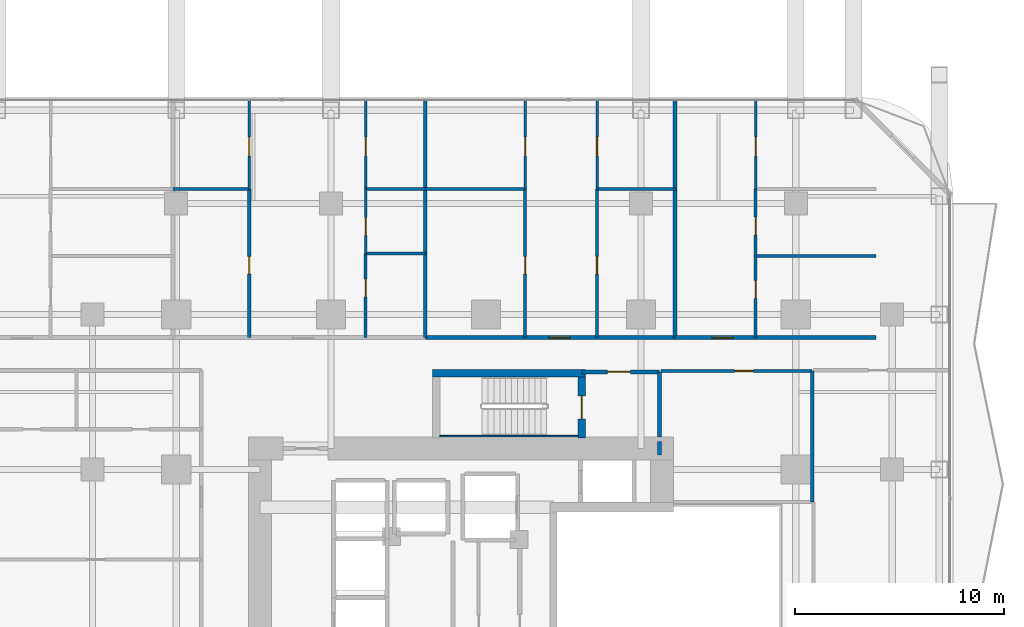
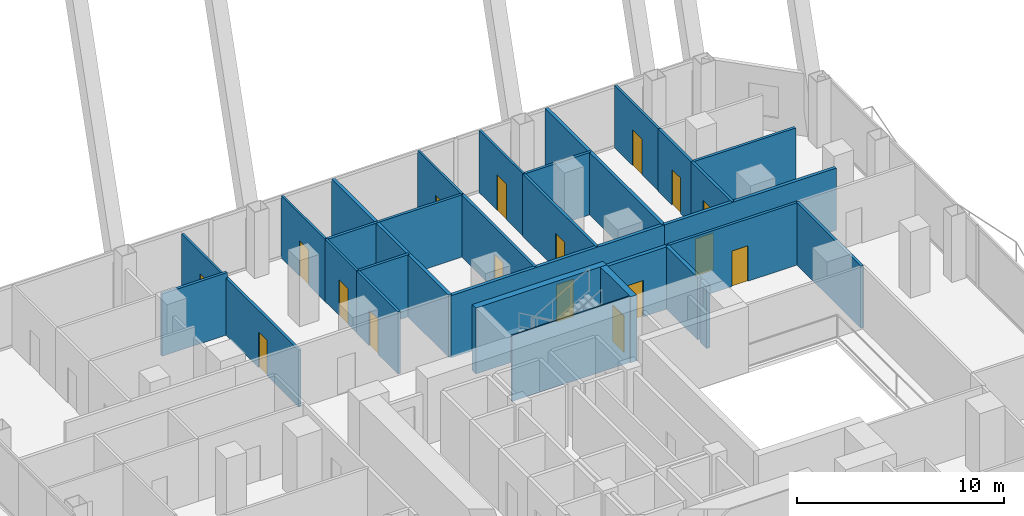
# One storey, part 27 of 33: 30 walls, 17 doors, 17 openings.
"""IFC4 building model written with IfcOpenShell, lengths in metres."""

import ifcopenshell
import ifcopenshell.guid

model = None  # the IFC model being written
_history = None  # IfcOwnerHistory: only IFC2X3 demands one
_inside = {}  # id of a spatial element -> (the spatial element, [elements in it])
_under = {}  # id of a project, library or spatial element -> (it, [spatial elements below it])
_declared = {}  # id of a project -> (the project, [libraries it declares])
_typed = {}  # id of a type object -> (the type object, [elements of that type])
_made_of = {}  # id of a material, layer set ... -> (it, [elements and type objects made of it])


def new_model(schema):
    """Start an empty IFC model of exactly this schema.

    Asked for "IFC4X3", IfcOpenShell would pick the latest addendum, in which some entities
    have other attributes; the version numbers below select the first issue.
    IFC2X3 requires an IfcOwnerHistory on every rooted entity: one is made here for all.
    """
    global model, _history
    if schema == "IFC4X3":
        model = ifcopenshell.file(schema_version=(4, 3, 0, 0))
    else:
        model = ifcopenshell.file(schema=schema)
    _inside.clear()
    _under.clear()
    _declared.clear()
    _typed.clear()
    _made_of.clear()
    _history = None
    if model.schema == "IFC2X3":
        org = make("IfcOrganization", Name="unknown")
        user = make(
            "IfcPersonAndOrganization",
            ThePerson=make("IfcPerson", FamilyName="unknown"),
            TheOrganization=org,
        )
        app = make(
            "IfcApplication",
            ApplicationDeveloper=org,
            Version="unknown",
            ApplicationFullName="unknown",
            ApplicationIdentifier="unknown",
        )
        _history = make(
            "IfcOwnerHistory",
            OwningUser=user,
            OwningApplication=app,
            ChangeAction="ADDED",
            CreationDate=0,
        )
    return model


def make(cls, **values):
    """One entity of the class cls with the attributes given. An attribute that is None is left unset."""
    return model.create_entity(
        cls, **{name: value for name, value in values.items() if value is not None}
    )


def rooted(cls, **values):
    """An entity with a GlobalId (a new one), such as an element, a storey or a relation."""
    return make(cls, GlobalId=ifcopenshell.guid.new(), OwnerHistory=_history, **values)


def si_unit(unit_type, name, prefix=None):
    """IfcSIUnit, for example si_unit("LENGTHUNIT", "METRE", prefix="MILLI")."""
    return make("IfcSIUnit", UnitType=unit_type, Prefix=prefix, Name=name)


def assignment(units):
    """IfcUnitAssignment: the units of a project."""
    return None if units is None else make("IfcUnitAssignment", Units=units)


def point(xyz):
    """IfcCartesianPoint."""
    return None if xyz is None else make("IfcCartesianPoint", Coordinates=xyz)


def direction(xyz):
    """IfcDirection."""
    return None if xyz is None else make("IfcDirection", DirectionRatios=xyz)


def frame(location, z_axis=None, x_axis=None):
    """IfcAxis2Placement3D, a coordinate frame: its origin and axes. An axis left out is left unset."""
    return make(
        "IfcAxis2Placement3D",
        Location=point(location),
        Axis=direction(z_axis),
        RefDirection=direction(x_axis),
    )


def frame_2d(location, x_axis=None):
    """IfcAxis2Placement2D, a coordinate frame in the plane: its origin and x axis."""
    return make(
        "IfcAxis2Placement2D", Location=point(location), RefDirection=direction(x_axis)
    )


def origin():
    """The frame at (0, 0, 0) with its axes left unset."""
    return frame((0.0, 0.0, 0.0))


def place(relative_to, where):
    """IfcLocalPlacement: puts the frame where relative to a parent placement (None: the world)."""
    return make(
        "IfcLocalPlacement", PlacementRelTo=relative_to, RelativePlacement=where
    )


def context(
    kind, dimensions, precision=None, world=None, true_north=None, identifier=None
):
    """IfcGeometricRepresentationContext, for example the 3D "Model" context."""
    return make(
        "IfcGeometricRepresentationContext",
        ContextIdentifier=identifier,
        ContextType=kind,
        CoordinateSpaceDimension=dimensions,
        Precision=precision,
        WorldCoordinateSystem=world,
        TrueNorth=true_north,
    )


def subcontext(parent, identifier, kind, view, scale=None):
    """IfcGeometricRepresentationSubContext, for example "Body" below "Model"."""
    return make(
        "IfcGeometricRepresentationSubContext",
        ContextIdentifier=identifier,
        ContextType=kind,
        ParentContext=parent,
        TargetScale=scale,
        TargetView=view,
    )


def project(units=None, contexts=None):
    """IfcProject with its units and contexts."""
    return rooted(
        "IfcProject",
        Name="project",
        RepresentationContexts=contexts,
        UnitsInContext=assignment(units),
    )


def spatial(cls, under=None, at=None, **own):
    """A site, building, storey or space (cls), placed at a placement, below another one or the project."""
    s = rooted(cls, ObjectPlacement=at, **own)
    if under is not None:
        _under.setdefault(under.id(), (under, []))[1].append(s)
    return s


def profile(cls, at=None, kind="AREA", **sizes):
    """A parametric profile (cls). Its sizes go by their IFC names, for example OverallWidth=200.0."""
    return make(cls, ProfileType=kind, Position=at, **sizes)


def rectangle(**sizes):
    """IfcRectangleProfileDef."""
    return profile("IfcRectangleProfileDef", **sizes)


def extrude(swept, where, along, depth):
    """IfcExtrudedAreaSolid: the profile swept, set in the frame where, extruded along a direction by depth."""
    return make(
        "IfcExtrudedAreaSolid",
        SweptArea=swept,
        Position=where,
        ExtrudedDirection=direction(along),
        Depth=depth,
    )


def shape(context_of_items, identifier, shape_type, items):
    """IfcShapeRepresentation: the items that make up one representation, for example the "Body"."""
    return make(
        "IfcShapeRepresentation",
        ContextOfItems=context_of_items,
        RepresentationIdentifier=identifier,
        RepresentationType=shape_type,
        Items=items,
    )


def material(Name=None, Category=None):
    """IfcMaterial."""
    return make("IfcMaterial", Name=Name, Category=Category)


def layer(
    of_material, thickness, ventilated=None, Name=None, Category=None, Priority=None
):
    """IfcMaterialLayer: one layer of a wall or slab, of a material (None: an air gap)."""
    return make(
        "IfcMaterialLayer",
        Material=of_material,
        LayerThickness=thickness,
        IsVentilated=ventilated,
        Name=Name,
        Category=Category,
        Priority=Priority,
    )


def layer_set(layers, Name=None):
    """IfcMaterialLayerSet."""
    return make("IfcMaterialLayerSet", MaterialLayers=layers, LayerSetName=Name)


def made_of(thing, what):
    """Note that an element or type object is made of a material, layer set ...; save() writes the relation."""
    if what is not None:
        _made_of.setdefault(what.id(), (what, []))[1].append(thing)
    return thing


def type_object(cls, material=None, **own):
    """A type object (cls), such as IfcWallType, which elements share."""
    return made_of(rooted(cls, **own), material)


def element(
    cls,
    number,
    at=None,
    inside=None,
    cuts=None,
    type_object=None,
    material=None,
    context=None,
    identifier="Body",
    shape_type=None,
    held_by="IfcProductDefinitionShape",
    body=None,
    shapes=None,
    **own,
):
    """One element of the class cls, such as IfcWall. Its Tag is "e" and its number.

    at: its placement. inside: the storey or other place that contains it. cuts: it is an
    opening in that element (IfcRelVoidsElement). A single representation is given by context,
    identifier, shape_type and body (its items); several are given by shapes. held_by: the class
    of the entity that holds the representations. save() writes the other relations.
    """
    e = rooted(cls, Tag="e%d" % number, ObjectPlacement=at, **own)
    if body is not None:
        shapes = [shape(context, identifier, shape_type, body)]
    if shapes is not None:
        e.Representation = make(held_by, Representations=shapes)
    if inside is not None:
        _inside.setdefault(inside.id(), (inside, []))[1].append(e)
    if cuts is not None:
        rooted(
            "IfcRelVoidsElement", RelatingBuildingElement=cuts, RelatedOpeningElement=e
        )
    if type_object is not None:
        _typed.setdefault(type_object.id(), (type_object, []))[1].append(e)
    return made_of(e, material)


def fill(opening, filler):
    """IfcRelFillsElement: the door or window that sits in an opening."""
    return rooted(
        "IfcRelFillsElement",
        RelatingOpeningElement=opening,
        RelatedBuildingElement=filler,
    )


def aggregate(whole, parts):
    """IfcRelAggregates: a whole, such as a stair, and the parts it consists of."""
    return rooted("IfcRelAggregates", RelatingObject=whole, RelatedObjects=parts)


def save(model, path):
    """Write the relations noted so far, then the file.

    IfcRelAggregates (storeys below a building ...), IfcRelContainedInSpatialStructure (elements
    in a storey), IfcRelDefinesByType, IfcRelAssociatesMaterial and IfcRelDeclares: one each for
    every whole, place, type object, material and project.
    """
    for whole, parts in _under.values():
        aggregate(whole, parts)
    for where, things in _inside.values():
        rooted(
            "IfcRelContainedInSpatialStructure",
            RelatedElements=things,
            RelatingStructure=where,
        )
    for kind, things in _typed.values():
        rooted("IfcRelDefinesByType", RelatedObjects=things, RelatingType=kind)
    for what, things in _made_of.values():
        rooted("IfcRelAssociatesMaterial", RelatedObjects=things, RelatingMaterial=what)
    for by, libraries in _declared.values():
        rooted("IfcRelDeclares", RelatingContext=by, RelatedDefinitions=libraries)
    model.write(path)


model = new_model("IFC4")

# Units and contexts
model_context = context("Model", 3, precision=1e-05, world=origin(), true_north=direction((0.0, 1.0)))
body_context = subcontext(model_context, "Body", "Model", "MODEL_VIEW")
ifc_project = project(units=[si_unit("LENGTHUNIT", "METRE"), si_unit("AREAUNIT", "SQUARE_METRE"), si_unit("VOLUMEUNIT", "CUBIC_METRE"), si_unit("PLANEANGLEUNIT", "RADIAN"), si_unit("MASSUNIT", "GRAM", prefix="KILO")], contexts=[model_context])

# Site, building, storey
site_placement = place(None, origin())
site = spatial("IfcSite", under=ifc_project, at=site_placement, CompositionType="ELEMENT")
building_placement = place(site_placement, origin())
building = spatial("IfcBuilding", under=site, at=building_placement, Name="Khorvyn Point Tower", CompositionType="ELEMENT")
storey_placement = place(building_placement, frame((0.0, 0.0, 65.699951171875)))
storey = spatial("IfcBuildingStorey", under=building, at=storey_placement, Name="L17", CompositionType="ELEMENT", Elevation=65.699951171875)

# Wall, opening, door
ifc_material_1 = material(Name="Double acoustic gypsum on twin steel stud", Category="steel")
ifc_layer_1 = layer(ifc_material_1, 0.179931640625)
ifc_layer_set_1 = layer_set([ifc_layer_1], Name="Acoustic Double-Stud Apartment Demising Wall 180")
wall_type_1 = type_object("IfcWallType", Name="Acoustic Double-Stud Apartment Demising Wall 180", PredefinedType="PARTITIONING", material=ifc_layer_set_1)
wall_1_placement = place(storey_placement, frame((-2.89990234375, 13.699951171875, 0.0), z_axis=(0.0, 0.0, 1.0), x_axis=(1.0, 0.0, 0.0)))
wall_1 = element("IfcWall", 1, at=wall_1_placement, inside=storey, type_object=wall_type_1, Name="Wall", PredefinedType="PARTITIONING", context=body_context, shape_type="SweptSolid", body=[
    extrude(rectangle(XDim=11.921875, YDim=0.179931640625, at=frame_2d((5.9609375, 0.0))), origin(), (0.0, 0.0, 1.0), 3.679931640625),
])
opening_1_placement = place(wall_1_placement, frame((5.91015625, 0.0, 0.0)))
opening_1 = element("IfcOpeningElement", 2, at=opening_1_placement, cuts=wall_1, Name="Opening ID-AP60", PredefinedType="OPENING", context=body_context, shape_type="SweptSolid", body=[
    extrude(rectangle(XDim=1.0, YDim=2.199951171875, at=frame_2d((0.5, 1.10009765625))), frame((0.0, 0.099853515625, 0.0), z_axis=(0.0, -1.0, 0.0), x_axis=(1.0, 0.0, 0.0)), (0.0, 0.0, 1.0), 0.199951171875),
])
ifc_material_2 = material(Name="Engineered hardwood fire-rated leaf", Category="wood")
door_type_1 = type_object("IfcDoorType", Name="Acoustic Solid-Core Timber Apartment Entrance Door 1000x2200", OperationType="NOTDEFINED", PredefinedType="DOOR", material=ifc_material_2)
door_1_placement = place(opening_1_placement, origin())
door_1 = element("IfcDoor", 3, at=door_1_placement, inside=storey, type_object=door_type_1, Name="Door", OperationType="SINGLE_SWING_RIGHT", OverallHeight=2.199951171875, OverallWidth=1.0, PredefinedType="DOOR", context=body_context, shape_type="SweptSolid", body=[
    extrude(rectangle(XDim=1.0, YDim=2.199951171875, at=frame_2d((0.5, 1.10009765625))), frame((0.0, 0.02490234375, 0.0), z_axis=(0.0, -1.0, 0.0), x_axis=(1.0, 0.0, 0.0)), (0.0, 0.0, 1.0), 0.050048828125),
])
fill(opening_1, door_1)

wall_2_placement = place(storey_placement, frame((9.02197265625, 13.699951171875, 0.0), z_axis=(0.0, 0.0, 1.0), x_axis=(1.0, 0.0, 0.0)))
wall_2 = element("IfcWall", 4, at=wall_2_placement, inside=storey, type_object=wall_type_1, Name="Wall", PredefinedType="PARTITIONING", context=body_context, shape_type="SweptSolid", body=[
    extrude(rectangle(XDim=9.59814453125, YDim=0.179931640625, at=frame_2d((4.799072265625, 0.0))), origin(), (0.0, 0.0, 1.0), 3.679931640625),
])
opening_2_placement = place(wall_2_placement, frame((1.779541015625, 0.0, 0.0)))
opening_2 = element("IfcOpeningElement", 5, at=opening_2_placement, cuts=wall_2, Name="Opening ID-AP60", PredefinedType="OPENING", context=body_context, shape_type="SweptSolid", body=[
    extrude(rectangle(XDim=1.0, YDim=2.199951171875, at=frame_2d((0.5, 1.10009765625))), frame((0.0, 0.099853515625, 0.0), z_axis=(0.0, -1.0, 0.0), x_axis=(1.0, 0.0, 0.0)), (0.0, 0.0, 1.0), 0.199951171875),
])
door_2_placement = place(opening_2_placement, origin())
door_2 = element("IfcDoor", 6, at=door_2_placement, inside=storey, type_object=door_type_1, Name="Door", OperationType="SINGLE_SWING_LEFT", OverallHeight=2.199951171875, OverallWidth=1.0, PredefinedType="DOOR", context=body_context, shape_type="SweptSolid", body=[
    extrude(rectangle(XDim=1.0, YDim=2.199951171875, at=frame_2d((0.5, 1.10009765625))), frame((0.0, 0.02490234375, 0.0), z_axis=(0.0, -1.0, 0.0), x_axis=(1.0, 0.0, 0.0)), (0.0, 0.0, 1.0), 0.050048828125),
])
fill(opening_2, door_2)

# Walls
for number, where, z_axis, x_axis, name in (
    (7, (-2.89990234375, 13.699951171875, 0.0), (0.0, 0.0, 1.0), (0.0, 1.0, 0.0), "Wall"),
    (8, (9.02197265625, 13.699951171875, 0.0), (0.0, 0.0, 1.0), (0.0, 1.0, 0.0), "Wall"),
):
    element("IfcWall", number, at=place(storey_placement, frame(where, z_axis=z_axis, x_axis=x_axis)), inside=storey, type_object=wall_type_1, Name=name, PredefinedType="PARTITIONING", context=body_context, shape_type="SweptSolid", body=[
        extrude(rectangle(XDim=11.330078125, YDim=0.179931640625, at=frame_2d((5.6650390625, 0.0))), origin(), (0.0, 0.0, 1.0), 3.679931640625),
    ])

# Wall, opening, door
ifc_material_3 = material(Name="Concrete C40/50", Category="concrete")
ifc_layer_2 = layer(ifc_material_3, 0.199951171875)
ifc_layer_set_2 = layer_set([ifc_layer_2], Name="Concrete C40/50 Fire-Lobby Compartment Wall 200")
wall_type_2 = type_object("IfcWallType", Name="Concrete C40/50 Fire-Lobby Compartment Wall 200", PredefinedType="SOLIDWALL", material=ifc_layer_set_2)
wall_3_placement = place(storey_placement, frame((4.580078125, 12.06005859375, 0.0), z_axis=(0.0, 0.0, 1.0), x_axis=(1.0, 0.0, 0.0)))
wall_3 = element("IfcWall", 9, at=wall_3_placement, inside=storey, type_object=wall_type_2, Name="Wall", PredefinedType="SOLIDWALL", context=body_context, shape_type="SweptSolid", body=[
    extrude(rectangle(XDim=3.699951171875, YDim=0.199951171875, at=frame_2d((1.85009765625, 0.0))), origin(), (0.0, 0.0, 1.0), 3.679931640625),
])
opening_3_placement = place(wall_3_placement, frame((1.21240234375, 0.0, 0.0)))
opening_3 = element("IfcOpeningElement", 10, at=opening_3_placement, cuts=wall_3, Name="Opening ID-FL90", PredefinedType="OPENING", context=body_context, shape_type="SweptSolid", body=[
    extrude(rectangle(XDim=1.10009765625, YDim=2.14990234375, at=frame_2d((0.550048828125, 1.074951171875))), frame((0.0, 0.10986328125, 0.0), z_axis=(0.0, -1.0, 0.0), x_axis=(1.0, 0.0, 0.0)), (0.0, 0.0, 1.0), 0.219970703125),
])
ifc_material_4 = material(Name="Galvanised powder-coated steel", Category="steel")
door_type_2 = type_object("IfcDoorType", Name="Fire-Rated Steel Lobby and Stair Door 1100x2150", OperationType="NOTDEFINED", PredefinedType="DOOR", material=ifc_material_4)
door_3_placement = place(opening_3_placement, origin())
door_3 = element("IfcDoor", 11, at=door_3_placement, inside=storey, type_object=door_type_2, Name="Door", OperationType="SINGLE_SWING_LEFT", OverallHeight=2.14990234375, OverallWidth=1.10009765625, PredefinedType="DOOR", context=body_context, shape_type="SweptSolid", body=[
    extrude(rectangle(XDim=1.10009765625, YDim=2.14990234375, at=frame_2d((0.550048828125, 1.074951171875))), frame((0.0, 0.02490234375, 0.0), z_axis=(0.0, -1.0, 0.0), x_axis=(1.0, 0.0, 0.0)), (0.0, 0.0, 1.0), 0.050048828125),
])
fill(opening_3, door_3)

# Walls
wall_4_placement = place(storey_placement, frame((8.280029296875, 8.949951171875, 0.0), z_axis=(0.0, 0.0, 1.0), x_axis=(0.0, 1.0, 0.0)))
element("IfcWall", 12, at=wall_4_placement, inside=storey, type_object=wall_type_2, Name="Wall", PredefinedType="SOLIDWALL", context=body_context, shape_type="SweptSolid", body=[
    extrude(rectangle(XDim=3.110107421875, YDim=0.199951171875, at=frame_2d((1.55517578125, 0.0))), origin(), (0.0, 0.0, 1.0), 3.679931640625),
])
wall_5_placement = place(storey_placement, frame((8.280029296875, 8.10009765625, 0.0), z_axis=(0.0, 0.0, 1.0), x_axis=(0.0, 1.0, 0.0)))
element("IfcWall", 13, at=wall_5_placement, inside=storey, type_object=wall_type_2, Name="Wall", PredefinedType="SOLIDWALL", context=body_context, shape_type="SweptSolid", body=[
    extrude(rectangle(XDim=0.625, YDim=0.199951171875, at=frame_2d((0.3125, 0.0))), origin(), (0.0, 0.0, 1.0), 3.679931640625),
])
ifc_layer_3 = layer(ifc_material_3, 0.25)
ifc_layer_set_3 = layer_set([ifc_layer_3], Name="Concrete C40/50 Stair Inner Cheek Structural Wall 250")
wall_type_3 = type_object("IfcWallType", Name="Concrete C40/50 Stair Inner Cheek Structural Wall 250", PredefinedType="SHEAR", material=ifc_layer_set_3)
wall_6_placement = place(storey_placement, frame((-2.199951171875, 8.987548828125, 0.0), z_axis=(0.0, 0.0, 1.0), x_axis=(1.0, 0.0, 0.0)))
element("IfcWall", 14, at=wall_6_placement, inside=storey, type_object=wall_type_3, Name="Wall", PredefinedType="SHEAR", context=body_context, shape_type="SweptSolid", body=[
    extrude(rectangle(XDim=6.599853515625, YDim=0.074951171875, at=frame_2d((3.2998046875, 0.0))), origin(), (0.0, 0.0, 1.0), 3.900146484375),
])
ifc_layer_4 = layer(ifc_material_3, 0.35009765625)
ifc_layer_set_4 = layer_set([ifc_layer_4], Name="Concrete C40/50 Stair Shaft Structural Wall 350")
wall_type_4 = type_object("IfcWallType", Name="Concrete C40/50 Stair Shaft Structural Wall 350", PredefinedType="SHEAR", material=ifc_layer_set_4)
wall_7_placement = place(storey_placement, frame((-2.554931640625, 12.0, 0.0), z_axis=(0.0, 0.0, 1.0), x_axis=(1.0, 0.0, 0.0)))
element("IfcWall", 15, at=wall_7_placement, inside=storey, type_object=wall_type_4, Name="L17 ST-02 North Shaft Wall", PredefinedType="SHEAR", context=body_context, shape_type="SweptSolid", body=[
    extrude(rectangle(XDim=7.309814453125, YDim=0.35009765625, at=frame_2d((3.65478515625, 0.0))), origin(), (0.0, 0.0, 1.0), 3.900146484375),
])

# Wall, opening, door
wall_8_placement = place(storey_placement, frame((4.580078125, 11.824951171875, 0.0), z_axis=(0.0, 0.0, 1.0), x_axis=(0.0, -1.0, 0.0)))
wall_8 = element("IfcWall", 16, at=wall_8_placement, inside=storey, type_object=wall_type_4, Name="L17 ST-02 East Landing Door Wall", PredefinedType="SHEAR", context=body_context, shape_type="SweptSolid", body=[
    extrude(rectangle(XDim=2.925048828125, YDim=0.35009765625, at=frame_2d((1.46240234375, 0.0))), origin(), (0.0, 0.0, 1.0), 3.900146484375),
])
opening_4_placement = place(wall_8_placement, frame((0.91259765625, 0.0, 0.0)))
opening_4 = element("IfcOpeningElement", 17, at=opening_4_placement, cuts=wall_8, Name="Opening ID-FL90", PredefinedType="OPENING", context=body_context, shape_type="SweptSolid", body=[
    extrude(rectangle(XDim=1.10009765625, YDim=2.14990234375, at=frame_2d((0.550048828125, 1.074951171875))), frame((0.0, 0.18505859375, 0.0), z_axis=(0.0, -1.0, 0.0), x_axis=(1.0, 0.0, 0.0)), (0.0, 0.0, 1.0), 0.3701171875),
])
door_4_placement = place(opening_4_placement, origin())
door_4 = element("IfcDoor", 18, at=door_4_placement, inside=storey, type_object=door_type_2, Name="L17 ST-02 Smokeproof Landing Door", OperationType="SINGLE_SWING_RIGHT", OverallHeight=2.14990234375, OverallWidth=1.10009765625, PredefinedType="DOOR", context=body_context, shape_type="SweptSolid", body=[
    extrude(rectangle(XDim=1.10009765625, YDim=2.14990234375, at=frame_2d((0.550048828125, 1.074951171875))), frame((0.0, 0.02490234375, 0.0), z_axis=(0.0, -1.0, 0.0), x_axis=(1.0, 0.0, 0.0)), (0.0, 0.0, 1.0), 0.050048828125),
])
fill(opening_4, door_4)

ifc_material_5 = material(Name="Gypsum plasterboard on steel stud", Category="steel")
ifc_layer_5 = layer(ifc_material_5, 0.1201171875)
ifc_layer_set_5 = layer_set([ifc_layer_5], Name="Gypsum Acoustic Stud Room Partition Wall 120")
wall_type_5 = type_object("IfcWallType", Name="Gypsum Acoustic Stud Room Partition Wall 120", PredefinedType="PARTITIONING", material=ifc_layer_set_5)
wall_9_placement = place(storey_placement, frame((-11.30810546875, 20.7900390625, 0.0), z_axis=(0.0, 0.0, 1.0), x_axis=(0.0, 1.0, 0.0)))
wall_9 = element("IfcWall", 19, at=wall_9_placement, inside=storey, type_object=wall_type_5, Name="Wall", PredefinedType="PARTITIONING", context=body_context, shape_type="SweptSolid", body=[
    extrude(rectangle(XDim=4.239990234375, YDim=0.1201171875, at=frame_2d((2.1201171875, 0.0))), origin(), (0.0, 0.0, 1.0), 3.3701171875),
])
opening_5_placement = place(wall_9_placement, frame((1.581298828125, 0.0, 0.0)))
opening_5 = element("IfcOpeningElement", 20, at=opening_5_placement, cuts=wall_9, Name="Opening ID-RM90", PredefinedType="OPENING", context=body_context, shape_type="SweptSolid", body=[
    extrude(rectangle(XDim=0.89990234375, YDim=2.10009765625, at=frame_2d((0.449951171875, 1.050048828125))), frame((0.0, 0.070068359375, 0.0), z_axis=(0.0, -1.0, 0.0), x_axis=(1.0, 0.0, 0.0)), (0.0, 0.0, 1.0), 0.14013671875),
])
ifc_material_6 = material(Name="Engineered oak veneer timber", Category="wood")
door_type_3 = type_object("IfcDoorType", Name="Flush Engineered Timber Room Door 900x2100", OperationType="NOTDEFINED", PredefinedType="DOOR", material=ifc_material_6)
door_5_placement = place(opening_5_placement, origin())
door_5 = element("IfcDoor", 21, at=door_5_placement, inside=storey, type_object=door_type_3, Name="Door", OperationType="SINGLE_SWING_RIGHT", OverallHeight=2.10009765625, OverallWidth=0.89990234375, PredefinedType="DOOR", context=body_context, shape_type="SweptSolid", body=[
    extrude(rectangle(XDim=0.89990234375, YDim=2.10009765625, at=frame_2d((0.449951171875, 1.050048828125))), frame((0.0, 0.02490234375, 0.0), z_axis=(0.0, -1.0, 0.0), x_axis=(1.0, 0.0, 0.0)), (0.0, 0.0, 1.0), 0.050048828125),
])
fill(opening_5, door_5)

wall_10_placement = place(storey_placement, frame((-5.75, 17.719970703125, 0.0), z_axis=(0.0, 0.0, 1.0), x_axis=(0.0, 1.0, 0.0)))
wall_10 = element("IfcWall", 22, at=wall_10_placement, inside=storey, type_object=wall_type_5, Name="Wall", PredefinedType="PARTITIONING", context=body_context, shape_type="SweptSolid", body=[
    extrude(rectangle(XDim=3.070068359375, YDim=0.1201171875, at=frame_2d((1.53515625, 0.0))), origin(), (0.0, 0.0, 1.0), 3.679931640625),
])
opening_6_placement = place(wall_10_placement, frame((0.850830078125, 0.0, 0.0)))
opening_6 = element("IfcOpeningElement", 23, at=opening_6_placement, cuts=wall_10, Name="Opening ID-WC85", PredefinedType="OPENING", context=body_context, shape_type="SweptSolid", body=[
    extrude(rectangle(XDim=0.85009765625, YDim=2.10009765625, at=frame_2d((0.425048828125, 1.050048828125))), frame((0.0, 0.070068359375, 0.0), z_axis=(0.0, -1.0, 0.0), x_axis=(1.0, 0.0, 0.0)), (0.0, 0.0, 1.0), 0.14013671875),
])
ifc_material_7 = material(Name="High-pressure laminate on moisture-resistant core", Category="wood")
door_type_4 = type_object("IfcDoorType", Name="Moisture-Resistant Accessible Washroom Door 850x2100", OperationType="NOTDEFINED", PredefinedType="DOOR", material=ifc_material_7)
door_6_placement = place(opening_6_placement, origin())
door_6 = element("IfcDoor", 24, at=door_6_placement, inside=storey, type_object=door_type_4, Name="Door", OperationType="SINGLE_SWING_RIGHT", OverallHeight=2.10009765625, OverallWidth=0.85009765625, PredefinedType="DOOR", context=body_context, shape_type="SweptSolid", body=[
    extrude(rectangle(XDim=0.85009765625, YDim=2.10009765625, at=frame_2d((0.425048828125, 1.050048828125))), frame((0.0, 0.02490234375, 0.0), z_axis=(0.0, -1.0, 0.0), x_axis=(1.0, 0.0, 0.0)), (0.0, 0.0, 1.0), 0.050048828125),
])
fill(opening_6, door_6)

wall_11_placement = place(storey_placement, frame((-5.75, 20.7900390625, 0.0), z_axis=(0.0, 0.0, 1.0), x_axis=(0.0, 1.0, 0.0)))
wall_11 = element("IfcWall", 25, at=wall_11_placement, inside=storey, type_object=wall_type_5, Name="Wall", PredefinedType="PARTITIONING", context=body_context, shape_type="SweptSolid", body=[
    extrude(rectangle(XDim=4.239990234375, YDim=0.1201171875, at=frame_2d((2.1201171875, 0.0))), origin(), (0.0, 0.0, 1.0), 3.679931640625),
])
opening_7_placement = place(wall_11_placement, frame((1.581298828125, 0.0, 0.0)))
opening_7 = element("IfcOpeningElement", 26, at=opening_7_placement, cuts=wall_11, Name="Opening ID-RM90", PredefinedType="OPENING", context=body_context, shape_type="SweptSolid", body=[
    extrude(rectangle(XDim=0.89990234375, YDim=2.10009765625, at=frame_2d((0.449951171875, 1.050048828125))), frame((0.0, 0.070068359375, 0.0), z_axis=(0.0, -1.0, 0.0), x_axis=(1.0, 0.0, 0.0)), (0.0, 0.0, 1.0), 0.14013671875),
])
door_7_placement = place(opening_7_placement, origin())
door_7 = element("IfcDoor", 27, at=door_7_placement, inside=storey, type_object=door_type_3, Name="Door", OperationType="SINGLE_SWING_LEFT", OverallHeight=2.10009765625, OverallWidth=0.89990234375, PredefinedType="DOOR", context=body_context, shape_type="SweptSolid", body=[
    extrude(rectangle(XDim=0.89990234375, YDim=2.10009765625, at=frame_2d((0.449951171875, 1.050048828125))), frame((0.0, 0.02490234375, 0.0), z_axis=(0.0, -1.0, 0.0), x_axis=(1.0, 0.0, 0.0)), (0.0, 0.0, 1.0), 0.050048828125),
])
fill(opening_7, door_7)

wall_12_placement = place(storey_placement, frame((1.868896484375, 20.7900390625, 0.0), z_axis=(0.0, 0.0, 1.0), x_axis=(0.0, 1.0, 0.0)))
wall_12 = element("IfcWall", 28, at=wall_12_placement, inside=storey, type_object=wall_type_5, Name="Wall", PredefinedType="PARTITIONING", context=body_context, shape_type="SweptSolid", body=[
    extrude(rectangle(XDim=4.239990234375, YDim=0.1201171875, at=frame_2d((2.1201171875, 0.0))), origin(), (0.0, 0.0, 1.0), 3.679931640625),
])
opening_8_placement = place(wall_12_placement, frame((1.581298828125, 0.0, 0.0)))
opening_8 = element("IfcOpeningElement", 29, at=opening_8_placement, cuts=wall_12, Name="Opening ID-RM90", PredefinedType="OPENING", context=body_context, shape_type="SweptSolid", body=[
    extrude(rectangle(XDim=0.89990234375, YDim=2.10009765625, at=frame_2d((0.449951171875, 1.050048828125))), frame((0.0, 0.070068359375, 0.0), z_axis=(0.0, -1.0, 0.0), x_axis=(1.0, 0.0, 0.0)), (0.0, 0.0, 1.0), 0.14013671875),
])
door_8_placement = place(opening_8_placement, origin())
door_8 = element("IfcDoor", 30, at=door_8_placement, inside=storey, type_object=door_type_3, Name="Door", OperationType="SINGLE_SWING_RIGHT", OverallHeight=2.10009765625, OverallWidth=0.89990234375, PredefinedType="DOOR", context=body_context, shape_type="SweptSolid", body=[
    extrude(rectangle(XDim=0.89990234375, YDim=2.10009765625, at=frame_2d((0.449951171875, 1.050048828125))), frame((0.0, 0.02490234375, 0.0), z_axis=(0.0, -1.0, 0.0), x_axis=(1.0, 0.0, 0.0)), (0.0, 0.0, 1.0), 0.050048828125),
])
fill(opening_8, door_8)

wall_13_placement = place(storey_placement, frame((5.302001953125, 20.7900390625, 0.0), z_axis=(0.0, 0.0, 1.0), x_axis=(0.0, 1.0, 0.0)))
wall_13 = element("IfcWall", 31, at=wall_13_placement, inside=storey, type_object=wall_type_5, Name="Wall", PredefinedType="PARTITIONING", context=body_context, shape_type="SweptSolid", body=[
    extrude(rectangle(XDim=4.239990234375, YDim=0.1201171875, at=frame_2d((2.1201171875, 0.0))), origin(), (0.0, 0.0, 1.0), 3.679931640625),
])
opening_9_placement = place(wall_13_placement, frame((1.581298828125, 0.0, 0.0)))
opening_9 = element("IfcOpeningElement", 32, at=opening_9_placement, cuts=wall_13, Name="Opening ID-RM90", PredefinedType="OPENING", context=body_context, shape_type="SweptSolid", body=[
    extrude(rectangle(XDim=0.89990234375, YDim=2.10009765625, at=frame_2d((0.449951171875, 1.050048828125))), frame((0.0, 0.070068359375, 0.0), z_axis=(0.0, -1.0, 0.0), x_axis=(1.0, 0.0, 0.0)), (0.0, 0.0, 1.0), 0.14013671875),
])
door_9_placement = place(opening_9_placement, origin())
door_9 = element("IfcDoor", 33, at=door_9_placement, inside=storey, type_object=door_type_3, Name="Door", OperationType="SINGLE_SWING_RIGHT", OverallHeight=2.10009765625, OverallWidth=0.89990234375, PredefinedType="DOOR", context=body_context, shape_type="SweptSolid", body=[
    extrude(rectangle(XDim=0.89990234375, YDim=2.10009765625, at=frame_2d((0.449951171875, 1.050048828125))), frame((0.0, 0.02490234375, 0.0), z_axis=(0.0, -1.0, 0.0), x_axis=(1.0, 0.0, 0.0)), (0.0, 0.0, 1.0), 0.050048828125),
])
fill(opening_9, door_9)

wall_14_placement = place(storey_placement, frame((12.875, 20.7900390625, 0.0), z_axis=(0.0, 0.0, 1.0), x_axis=(0.0, 1.0, 0.0)))
wall_14 = element("IfcWall", 34, at=wall_14_placement, inside=storey, type_object=wall_type_5, Name="Wall", PredefinedType="PARTITIONING", context=body_context, shape_type="SweptSolid", body=[
    extrude(rectangle(XDim=4.239990234375, YDim=0.1201171875, at=frame_2d((2.1201171875, 0.0))), origin(), (0.0, 0.0, 1.0), 3.679931640625),
])
opening_10_placement = place(wall_14_placement, frame((1.581298828125, 0.0, 0.0)))
opening_10 = element("IfcOpeningElement", 35, at=opening_10_placement, cuts=wall_14, Name="Opening ID-RM90", PredefinedType="OPENING", context=body_context, shape_type="SweptSolid", body=[
    extrude(rectangle(XDim=0.89990234375, YDim=2.10009765625, at=frame_2d((0.449951171875, 1.050048828125))), frame((0.0, 0.070068359375, 0.0), z_axis=(0.0, -1.0, 0.0), x_axis=(1.0, 0.0, 0.0)), (0.0, 0.0, 1.0), 0.14013671875),
])
door_10_placement = place(opening_10_placement, origin())
door_10 = element("IfcDoor", 36, at=door_10_placement, inside=storey, type_object=door_type_3, Name="Door", OperationType="SINGLE_SWING_RIGHT", OverallHeight=2.10009765625, OverallWidth=0.89990234375, PredefinedType="DOOR", context=body_context, shape_type="SweptSolid", body=[
    extrude(rectangle(XDim=0.89990234375, YDim=2.10009765625, at=frame_2d((0.449951171875, 1.050048828125))), frame((0.0, 0.02490234375, 0.0), z_axis=(0.0, -1.0, 0.0), x_axis=(1.0, 0.0, 0.0)), (0.0, 0.0, 1.0), 0.050048828125),
])
fill(opening_10, door_10)

ifc_material_8 = material(Name="Moisture-resistant gypsum and cement board", Category="gypsum")
ifc_layer_6 = layer(ifc_material_8, 0.14990234375)
ifc_layer_set_6 = layer_set([ifc_layer_6], Name="Moisture-Resistant Wet-Room Partition Wall 150")
wall_type_6 = type_object("IfcWallType", Name="Moisture-Resistant Wet-Room Partition Wall 150", PredefinedType="PARTITIONING", material=ifc_layer_set_6)
wall_15_placement = place(storey_placement, frame((8.360107421875, 12.10009765625, 0.0), z_axis=(0.0, 0.0, 1.0), x_axis=(1.0, 0.0, 0.0)))
wall_15 = element("IfcWall", 37, at=wall_15_placement, inside=storey, type_object=wall_type_6, Name="Wall", PredefinedType="PARTITIONING", context=body_context, shape_type="SweptSolid", body=[
    extrude(rectangle(XDim=7.219970703125, YDim=0.14990234375, at=frame_2d((3.60986328125, 0.0))), origin(), (0.0, 0.0, 1.0), 3.679931640625),
])
opening_11_placement = place(wall_15_placement, frame((3.512939453125, 0.0, 0.0)))
opening_11 = element("IfcOpeningElement", 38, at=opening_11_placement, cuts=wall_15, Name="Opening ID-RM90", PredefinedType="OPENING", context=body_context, shape_type="SweptSolid", body=[
    extrude(rectangle(XDim=0.89990234375, YDim=2.10009765625, at=frame_2d((0.449951171875, 1.050048828125))), frame((0.0, 0.0849609375, 0.0), z_axis=(0.0, -1.0, 0.0), x_axis=(1.0, 0.0, 0.0)), (0.0, 0.0, 1.0), 0.169921875),
])
door_11_placement = place(opening_11_placement, origin())
door_11 = element("IfcDoor", 39, at=door_11_placement, inside=storey, type_object=door_type_3, Name="Door", OperationType="SINGLE_SWING_LEFT", OverallHeight=2.10009765625, OverallWidth=0.89990234375, PredefinedType="DOOR", context=body_context, shape_type="SweptSolid", body=[
    extrude(rectangle(XDim=0.89990234375, YDim=2.10009765625, at=frame_2d((0.449951171875, 1.050048828125))), frame((0.0, 0.02490234375, 0.0), z_axis=(0.0, -1.0, 0.0), x_axis=(1.0, 0.0, 0.0)), (0.0, 0.0, 1.0), 0.050048828125),
])
fill(opening_11, door_11)

wall_16_placement = place(storey_placement, frame((-11.30810546875, 13.699951171875, 0.0), z_axis=(0.0, 0.0, 1.0), x_axis=(0.0, 1.0, 0.0)))
wall_16 = element("IfcWall", 40, at=wall_16_placement, inside=storey, type_object=wall_type_6, Name="Wall", PredefinedType="PARTITIONING", context=body_context, shape_type="SweptSolid", body=[
    extrude(rectangle(XDim=7.090087890625, YDim=0.14990234375, at=frame_2d((3.544921875, 0.0))), origin(), (0.0, 0.0, 1.0), 3.3701171875),
])
opening_12_placement = place(wall_16_placement, frame((3.0302734375, 0.0, 0.0)))
opening_12 = element("IfcOpeningElement", 41, at=opening_12_placement, cuts=wall_16, Name="Opening ID-WC85", PredefinedType="OPENING", context=body_context, shape_type="SweptSolid", body=[
    extrude(rectangle(XDim=0.85009765625, YDim=2.10009765625, at=frame_2d((0.425048828125, 1.050048828125))), frame((0.0, 0.0849609375, 0.0), z_axis=(0.0, -1.0, 0.0), x_axis=(1.0, 0.0, 0.0)), (0.0, 0.0, 1.0), 0.169921875),
])
door_12_placement = place(opening_12_placement, origin())
door_12 = element("IfcDoor", 42, at=door_12_placement, inside=storey, type_object=door_type_4, Name="Door", OperationType="SINGLE_SWING_LEFT", OverallHeight=2.10009765625, OverallWidth=0.85009765625, PredefinedType="DOOR", context=body_context, shape_type="SweptSolid", body=[
    extrude(rectangle(XDim=0.85009765625, YDim=2.10009765625, at=frame_2d((0.425048828125, 1.050048828125))), frame((0.0, 0.02490234375, 0.0), z_axis=(0.0, -1.0, 0.0), x_axis=(1.0, 0.0, 0.0)), (0.0, 0.0, 1.0), 0.050048828125),
])
fill(opening_12, door_12)

wall_17_placement = place(storey_placement, frame((-5.75, 13.699951171875, 0.0), z_axis=(0.0, 0.0, 1.0), x_axis=(0.0, 1.0, 0.0)))
wall_17 = element("IfcWall", 43, at=wall_17_placement, inside=storey, type_object=wall_type_6, Name="Wall", PredefinedType="PARTITIONING", context=body_context, shape_type="SweptSolid", body=[
    extrude(rectangle(XDim=4.02001953125, YDim=0.14990234375, at=frame_2d((2.010009765625, 0.0))), origin(), (0.0, 0.0, 1.0), 3.679931640625),
])
opening_13_placement = place(wall_17_placement, frame((1.941162109375, 0.0, 0.0)))
opening_13 = element("IfcOpeningElement", 44, at=opening_13_placement, cuts=wall_17, Name="Opening ID-WC85", PredefinedType="OPENING", context=body_context, shape_type="SweptSolid", body=[
    extrude(rectangle(XDim=0.85009765625, YDim=2.10009765625, at=frame_2d((0.425048828125, 1.050048828125))), frame((0.0, 0.0849609375, 0.0), z_axis=(0.0, -1.0, 0.0), x_axis=(1.0, 0.0, 0.0)), (0.0, 0.0, 1.0), 0.169921875),
])
door_13_placement = place(opening_13_placement, origin())
door_13 = element("IfcDoor", 45, at=door_13_placement, inside=storey, type_object=door_type_4, Name="Door", OperationType="SINGLE_SWING_LEFT", OverallHeight=2.10009765625, OverallWidth=0.85009765625, PredefinedType="DOOR", context=body_context, shape_type="SweptSolid", body=[
    extrude(rectangle(XDim=0.85009765625, YDim=2.10009765625, at=frame_2d((0.425048828125, 1.050048828125))), frame((0.0, 0.02490234375, 0.0), z_axis=(0.0, -1.0, 0.0), x_axis=(1.0, 0.0, 0.0)), (0.0, 0.0, 1.0), 0.050048828125),
])
fill(opening_13, door_13)

wall_18_placement = place(storey_placement, frame((1.868896484375, 13.699951171875, 0.0), z_axis=(0.0, 0.0, 1.0), x_axis=(0.0, 1.0, 0.0)))
wall_18 = element("IfcWall", 46, at=wall_18_placement, inside=storey, type_object=wall_type_6, Name="Wall", PredefinedType="PARTITIONING", context=body_context, shape_type="SweptSolid", body=[
    extrude(rectangle(XDim=7.090087890625, YDim=0.14990234375, at=frame_2d((3.544921875, 0.0))), origin(), (0.0, 0.0, 1.0), 3.679931640625),
])
opening_14_placement = place(wall_18_placement, frame((3.0302734375, 0.0, 0.0)))
opening_14 = element("IfcOpeningElement", 47, at=opening_14_placement, cuts=wall_18, Name="Opening ID-WC85", PredefinedType="OPENING", context=body_context, shape_type="SweptSolid", body=[
    extrude(rectangle(XDim=0.85009765625, YDim=2.10009765625, at=frame_2d((0.425048828125, 1.050048828125))), frame((0.0, 0.0849609375, 0.0), z_axis=(0.0, -1.0, 0.0), x_axis=(1.0, 0.0, 0.0)), (0.0, 0.0, 1.0), 0.169921875),
])
door_14_placement = place(opening_14_placement, origin())
door_14 = element("IfcDoor", 48, at=door_14_placement, inside=storey, type_object=door_type_4, Name="Door", OperationType="SINGLE_SWING_LEFT", OverallHeight=2.10009765625, OverallWidth=0.85009765625, PredefinedType="DOOR", context=body_context, shape_type="SweptSolid", body=[
    extrude(rectangle(XDim=0.85009765625, YDim=2.10009765625, at=frame_2d((0.425048828125, 1.050048828125))), frame((0.0, 0.02490234375, 0.0), z_axis=(0.0, -1.0, 0.0), x_axis=(1.0, 0.0, 0.0)), (0.0, 0.0, 1.0), 0.050048828125),
])
fill(opening_14, door_14)

wall_19_placement = place(storey_placement, frame((5.302001953125, 13.699951171875, 0.0), z_axis=(0.0, 0.0, 1.0), x_axis=(0.0, 1.0, 0.0)))
wall_19 = element("IfcWall", 49, at=wall_19_placement, inside=storey, type_object=wall_type_6, Name="Wall", PredefinedType="PARTITIONING", context=body_context, shape_type="SweptSolid", body=[
    extrude(rectangle(XDim=7.090087890625, YDim=0.14990234375, at=frame_2d((3.544921875, 0.0))), origin(), (0.0, 0.0, 1.0), 3.679931640625),
])
opening_15_placement = place(wall_19_placement, frame((3.0302734375, 0.0, 0.0)))
opening_15 = element("IfcOpeningElement", 50, at=opening_15_placement, cuts=wall_19, Name="Opening ID-WC85", PredefinedType="OPENING", context=body_context, shape_type="SweptSolid", body=[
    extrude(rectangle(XDim=0.85009765625, YDim=2.10009765625, at=frame_2d((0.425048828125, 1.050048828125))), frame((0.0, 0.0849609375, 0.0), z_axis=(0.0, -1.0, 0.0), x_axis=(1.0, 0.0, 0.0)), (0.0, 0.0, 1.0), 0.169921875),
])
door_15_placement = place(opening_15_placement, origin())
door_15 = element("IfcDoor", 51, at=door_15_placement, inside=storey, type_object=door_type_4, Name="Door", OperationType="SINGLE_SWING_LEFT", OverallHeight=2.10009765625, OverallWidth=0.85009765625, PredefinedType="DOOR", context=body_context, shape_type="SweptSolid", body=[
    extrude(rectangle(XDim=0.85009765625, YDim=2.10009765625, at=frame_2d((0.425048828125, 1.050048828125))), frame((0.0, 0.02490234375, 0.0), z_axis=(0.0, -1.0, 0.0), x_axis=(1.0, 0.0, 0.0)), (0.0, 0.0, 1.0), 0.050048828125),
])
fill(opening_15, door_15)

wall_20_placement = place(storey_placement, frame((12.875, 13.699951171875, 0.0), z_axis=(0.0, 0.0, 1.0), x_axis=(0.0, 1.0, 0.0)))
wall_20 = element("IfcWall", 52, at=wall_20_placement, inside=storey, type_object=wall_type_6, Name="Wall", PredefinedType="PARTITIONING", context=body_context, shape_type="SweptSolid", body=[
    extrude(rectangle(XDim=3.899169921875, YDim=0.14990234375, at=frame_2d((1.94970703125, 0.0))), origin(), (0.0, 0.0, 1.0), 3.679931640625),
])
opening_16_placement = place(wall_20_placement, frame((1.865478515625, 0.0, 0.0)))
opening_16 = element("IfcOpeningElement", 53, at=opening_16_placement, cuts=wall_20, Name="Opening ID-WC85", PredefinedType="OPENING", context=body_context, shape_type="SweptSolid", body=[
    extrude(rectangle(XDim=0.85009765625, YDim=2.10009765625, at=frame_2d((0.425048828125, 1.050048828125))), frame((0.0, 0.0849609375, 0.0), z_axis=(0.0, -1.0, 0.0), x_axis=(1.0, 0.0, 0.0)), (0.0, 0.0, 1.0), 0.169921875),
])
door_16_placement = place(opening_16_placement, origin())
door_16 = element("IfcDoor", 54, at=door_16_placement, inside=storey, type_object=door_type_4, Name="Door", OperationType="SINGLE_SWING_RIGHT", OverallHeight=2.10009765625, OverallWidth=0.85009765625, PredefinedType="DOOR", context=body_context, shape_type="SweptSolid", body=[
    extrude(rectangle(XDim=0.85009765625, YDim=2.10009765625, at=frame_2d((0.425048828125, 1.050048828125))), frame((0.0, 0.02490234375, 0.0), z_axis=(0.0, -1.0, 0.0), x_axis=(1.0, 0.0, 0.0)), (0.0, 0.0, 1.0), 0.050048828125),
])
fill(opening_16, door_16)

wall_21_placement = place(storey_placement, frame((12.875, 17.59912109375, 0.0), z_axis=(0.0, 0.0, 1.0), x_axis=(0.0, 1.0, 0.0)))
wall_21 = element("IfcWall", 55, at=wall_21_placement, inside=storey, type_object=wall_type_6, Name="Wall", PredefinedType="PARTITIONING", context=body_context, shape_type="SweptSolid", body=[
    extrude(rectangle(XDim=3.19091796875, YDim=0.14990234375, at=frame_2d((1.595458984375, 0.0))), origin(), (0.0, 0.0, 1.0), 3.679931640625),
])
opening_17_placement = place(wall_21_placement, frame((1.002197265625, 0.0, 0.0)))
opening_17 = element("IfcOpeningElement", 56, at=opening_17_placement, cuts=wall_21, Name="Opening ID-WC85", PredefinedType="OPENING", context=body_context, shape_type="SweptSolid", body=[
    extrude(rectangle(XDim=0.85009765625, YDim=2.10009765625, at=frame_2d((0.425048828125, 1.050048828125))), frame((0.0, 0.0849609375, 0.0), z_axis=(0.0, -1.0, 0.0), x_axis=(1.0, 0.0, 0.0)), (0.0, 0.0, 1.0), 0.169921875),
])
door_17_placement = place(opening_17_placement, origin())
door_17 = element("IfcDoor", 57, at=door_17_placement, inside=storey, type_object=door_type_4, Name="Door", OperationType="SINGLE_SWING_LEFT", OverallHeight=2.10009765625, OverallWidth=0.85009765625, PredefinedType="DOOR", context=body_context, shape_type="SweptSolid", body=[
    extrude(rectangle(XDim=0.85009765625, YDim=2.10009765625, at=frame_2d((0.425048828125, 1.050048828125))), frame((0.0, 0.02490234375, 0.0), z_axis=(0.0, -1.0, 0.0), x_axis=(1.0, 0.0, 0.0)), (0.0, 0.0, 1.0), 0.050048828125),
])
fill(opening_17, door_17)

# Walls
wall_22_placement = place(storey_placement, frame((15.580078125, 5.85009765625, 0.0), z_axis=(0.0, 0.0, 1.0), x_axis=(0.0, 1.0, 0.0)))
element("IfcWall", 58, at=wall_22_placement, inside=storey, type_object=wall_type_6, Name="Wall", PredefinedType="PARTITIONING", context=body_context, shape_type="SweptSolid", body=[
    extrude(rectangle(XDim=6.25, YDim=0.14990234375, at=frame_2d((3.125, 0.0))), origin(), (0.0, 0.0, 1.0), 3.679931640625),
])
wall_23_placement = place(storey_placement, frame((-14.950927734375, 20.7900390625, 0.0), z_axis=(0.0, 0.0, 1.0), x_axis=(1.0, 0.0, 0.0)))
element("IfcWall", 59, at=wall_23_placement, inside=storey, type_object=wall_type_6, Name="Wall", PredefinedType="PARTITIONING", context=body_context, shape_type="SweptSolid", body=[
    extrude(rectangle(XDim=3.642822265625, YDim=0.14990234375, at=frame_2d((1.8212890625, 0.0))), origin(), (0.0, 0.0, 1.0), 3.679931640625),
])
for number, where, z_axis, x_axis, name in (
    (60, (-5.75, 17.719970703125, 0.0), (0.0, 0.0, 1.0), (1.0, 0.0, 0.0), "Wall"),
    (61, (-5.75, 20.7900390625, 0.0), (0.0, 0.0, 1.0), (1.0, 0.0, 0.0), "Wall"),
):
    element("IfcWall", number, at=place(storey_placement, frame(where, z_axis=z_axis, x_axis=x_axis)), inside=storey, type_object=wall_type_6, Name=name, PredefinedType="PARTITIONING", context=body_context, shape_type="SweptSolid", body=[
        extrude(rectangle(XDim=2.85009765625, YDim=0.14990234375, at=frame_2d((1.425048828125, 0.0))), origin(), (0.0, 0.0, 1.0), 3.679931640625),
    ])
wall_24_placement = place(storey_placement, frame((-2.89990234375, 20.7900390625, 0.0), z_axis=(0.0, 0.0, 1.0), x_axis=(1.0, 0.0, 0.0)))
element("IfcWall", 62, at=wall_24_placement, inside=storey, type_object=wall_type_6, Name="Wall", PredefinedType="PARTITIONING", context=body_context, shape_type="SweptSolid", body=[
    extrude(rectangle(XDim=4.768798828125, YDim=0.14990234375, at=frame_2d((2.38427734375, 0.0))), origin(), (0.0, 0.0, 1.0), 3.679931640625),
])
wall_25_placement = place(storey_placement, frame((5.302001953125, 20.7900390625, 0.0), z_axis=(0.0, 0.0, 1.0), x_axis=(1.0, 0.0, 0.0)))
element("IfcWall", 63, at=wall_25_placement, inside=storey, type_object=wall_type_6, Name="Wall", PredefinedType="PARTITIONING", context=body_context, shape_type="SweptSolid", body=[
    extrude(rectangle(XDim=3.719970703125, YDim=0.14990234375, at=frame_2d((1.85986328125, 0.0))), origin(), (0.0, 0.0, 1.0), 3.679931640625),
])
wall_26_placement = place(storey_placement, frame((12.875, 17.59912109375, 0.0), z_axis=(0.0, 0.0, 1.0), x_axis=(1.0, 0.0, 0.0)))
element("IfcWall", 64, at=wall_26_placement, inside=storey, type_object=wall_type_6, Name="Wall", PredefinedType="PARTITIONING", context=body_context, shape_type="SweptSolid", body=[
    extrude(rectangle(XDim=5.7451171875, YDim=0.14990234375, at=frame_2d((2.87255859375, 0.0))), origin(), (0.0, 0.0, 1.0), 3.679931640625),
])

save(model, "model.ifc")
